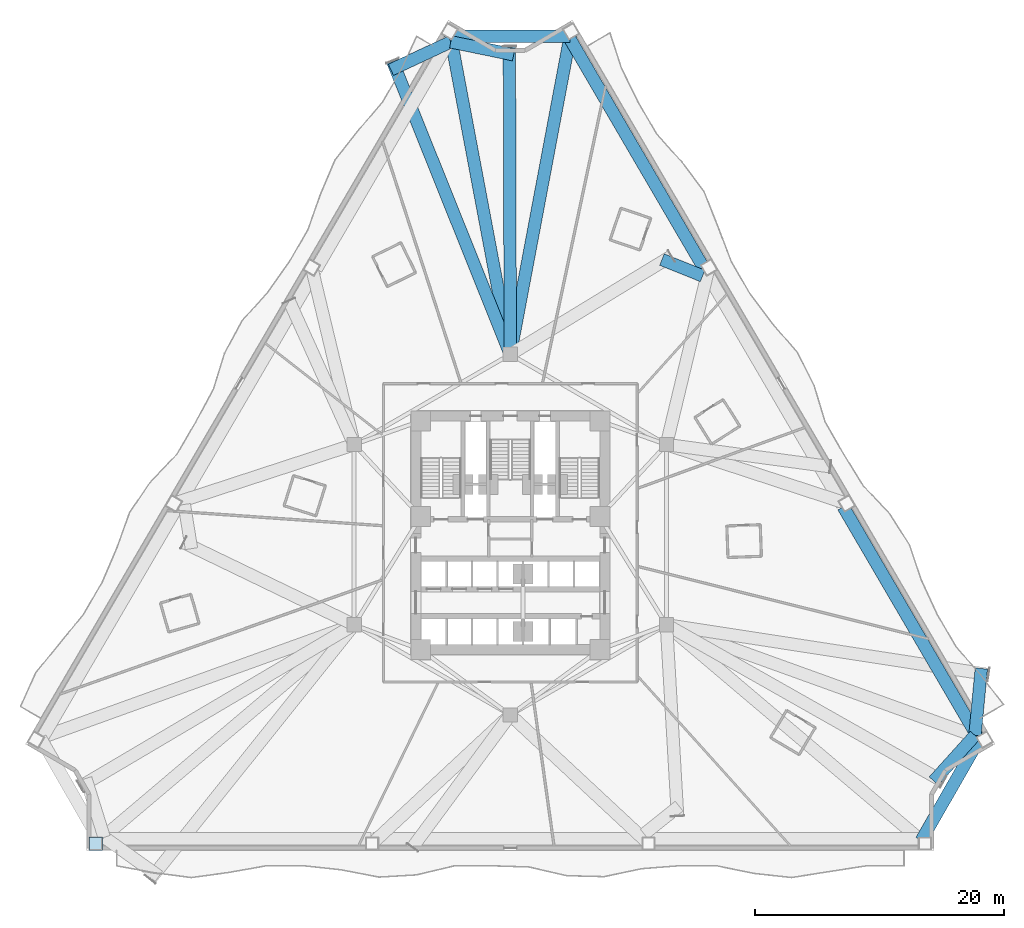
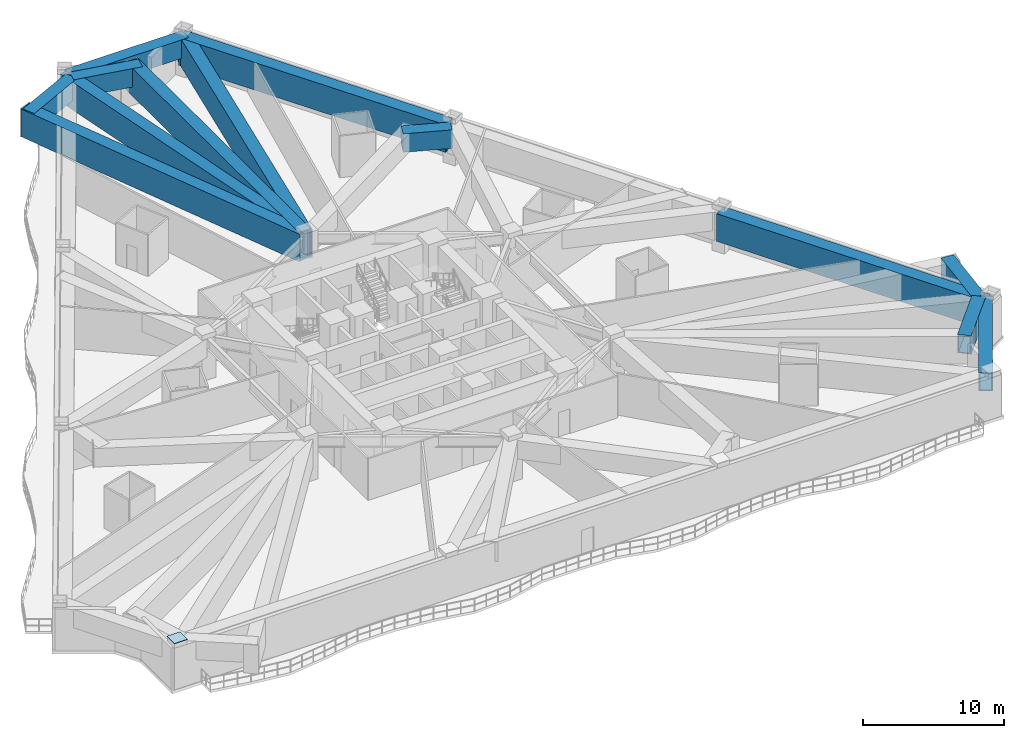
# One storey, part 2 of 16: 13 beams, 1 plate.
"""IFC4 building model written with IfcOpenShell, lengths in metres."""

from ifc_helpers import new_model, si_unit, direction, frame, origin, origin_2d, place, context, subcontext, project, spatial, rectangle, hollow_rectangle, extrude, material, layer, layer_set, material_profile, profile_set, type_object, element, save


model = new_model("IFC4")

# Units and contexts
model_context = context("Model", 3, precision=1e-05, world=origin(), true_north=direction((0.0, 1.0)))
body_context = subcontext(model_context, "Body", "Model", "MODEL_VIEW")
ifc_project = project(units=[si_unit("LENGTHUNIT", "METRE"), si_unit("AREAUNIT", "SQUARE_METRE"), si_unit("VOLUMEUNIT", "CUBIC_METRE"), si_unit("PLANEANGLEUNIT", "RADIAN"), si_unit("MASSUNIT", "GRAM", prefix="KILO")], contexts=[model_context])

# Site, building, storey
site_placement = place(None, origin())
site = spatial("IfcSite", under=ifc_project, at=site_placement, CompositionType="ELEMENT")
building_placement = place(site_placement, origin())
building = spatial("IfcBuilding", under=site, at=building_placement, Name="Apsidion Concourse Tower", CompositionType="ELEMENT")
storey_placement = place(building_placement, frame((0.0, 0.0, 58.39990234375)))
storey = spatial("IfcBuildingStorey", under=building, at=storey_placement, Name="L12", CompositionType="ELEMENT", Elevation=58.39990234375)

# Beams
ifc_material = material(Name="Structural steel ASTM A572 Grade 50", Category="steel")
ifc_material_profile_1 = material_profile(ifc_material, hollow_rectangle(XDim=1.0, YDim=1.60009765625, WallThickness=0.074951171875, at=origin_2d()), Name="BOX1600X1000X75")
ifc_profile_set_1 = profile_set([ifc_material_profile_1], Name="Structural steel ASTM A572 Grade 50")
beam_type_1 = type_object("IfcBeamType", Name="BM-TR-1600", PredefinedType="USERDEFINED", material=ifc_profile_set_1)
beam_1_placement = place(storey_placement, frame((33.060302734375, -24.59130859375, 2.800048828125), z_axis=(0.497847451586, 0.867264616452, 0.0), x_axis=(-0.867264616452, 0.497847451586, 0.0)))
element("IfcBeam", 1, at=beam_1_placement, inside=storey, type_object=beam_type_1, Name="L12 Perimeter Spandrel Girder SP-08", ObjectType="GIRDER", PredefinedType="USERDEFINED", context=body_context, shape_type="SweptSolid", body=[
    extrude(hollow_rectangle(XDim=1.0, YDim=1.60009765625, WallThickness=0.074951171875, at=origin_2d()), origin(), (0.0, 0.0, 1.0), 9.489501953125),
])
beam_2_placement = place(storey_placement, frame((4.8076171875, 40.10107421875, 2.800048828125), z_axis=(-1.0, 0.0, 0.0), x_axis=(0.0, -1.0, 0.0)))
element("IfcBeam", 2, at=beam_2_placement, inside=storey, type_object=beam_type_1, Name="L12 Perimeter Spandrel Girder SP-12", ObjectType="GIRDER", PredefinedType="USERDEFINED", context=body_context, shape_type="SweptSolid", body=[
    extrude(hollow_rectangle(XDim=1.0, YDim=1.60009765625, WallThickness=0.074951171875, at=origin_2d()), origin(), (0.0, 0.0, 1.0), 9.615234375),
])
beam_3_placement = place(storey_placement, frame((-4.78564453125, 39.63720703125, 2.800048828125), z_axis=(-0.905901345602, -0.4234887862, 0.0), x_axis=(0.4234887862, -0.905901345602, 0.0)))
element("IfcBeam", 3, at=beam_3_placement, inside=storey, type_object=beam_type_1, Name="L12 Block-Step Perimeter Transfer Bridge NBR-01", ObjectType="GIRDER", PredefinedType="USERDEFINED", context=body_context, shape_type="SweptSolid", body=[
    extrude(hollow_rectangle(XDim=1.0, YDim=1.60009765625, WallThickness=0.074951171875, at=origin_2d()), origin(), (0.0, 0.0, 1.0), 5.31591796875),
])
beam_4_placement = place(storey_placement, frame((37.373779296875, -16.14404296875, 2.800048828125), z_axis=(-0.669774643391, -0.742564426209, 0.0), x_axis=(0.742564426209, -0.669774643391, 0.0)))
element("IfcBeam", 4, at=beam_4_placement, inside=storey, type_object=beam_type_1, Name="L12 Block-Step Perimeter Transfer Bridge NBR-08", ObjectType="GIRDER", PredefinedType="USERDEFINED", context=body_context, shape_type="SweptSolid", body=[
    extrude(hollow_rectangle(XDim=1.0, YDim=1.60009765625, WallThickness=0.074951171875, at=origin_2d()), origin(), (0.0, 0.0, 1.0), 4.94384765625),
])
beam_5_placement = place(storey_placement, frame((37.373779296875, -16.14404296875, 2.800048828125), z_axis=(0.094924281008, 0.995484495547, 0.0), x_axis=(-0.995484495547, 0.094924281008, 0.0)))
element("IfcBeam", 5, at=beam_5_placement, inside=storey, type_object=beam_type_1, Name="L12 Block-Step Perimeter Transfer Bridge NBR-09", ObjectType="GIRDER", PredefinedType="USERDEFINED", context=body_context, shape_type="SweptSolid", body=[
    extrude(hollow_rectangle(XDim=1.0, YDim=1.60009765625, WallThickness=0.074951171875, at=origin_2d()), origin(), (0.0, 0.0, 1.0), 5.401123046875),
])
beam_6_placement = place(storey_placement, frame((15.46923828125, 20.8115234375, 2.800048828125), z_axis=(-0.927527499011, 0.373754917799, 0.0), x_axis=(-0.373754917799, -0.927527499011, 0.0)))
element("IfcBeam", 6, at=beam_6_placement, inside=storey, type_object=beam_type_1, Name="L12 Block-Step Perimeter Transfer Bridge NBR-11", ObjectType="GIRDER", PredefinedType="USERDEFINED", context=body_context, shape_type="SweptSolid", body=[
    extrude(hollow_rectangle(XDim=1.0, YDim=1.60009765625, WallThickness=0.074951171875, at=origin_2d()), origin(), (0.0, 0.0, 1.0), 3.5234375),
])
beam_7_placement = place(storey_placement, frame((-4.78564453125, 39.63720703125, 2.800048828125), z_axis=(0.97939381598, -0.201959781192, 0.0), x_axis=(0.201959781192, 0.97939381598, 0.0)))
element("IfcBeam", 7, at=beam_7_placement, inside=storey, type_object=beam_type_1, Name="L12 Block-Step Perimeter Transfer Bridge NBR-12", ObjectType="GIRDER", PredefinedType="USERDEFINED", context=body_context, shape_type="SweptSolid", body=[
    extrude(hollow_rectangle(XDim=1.0, YDim=1.60009765625, WallThickness=0.074951171875, at=origin_2d()), origin(), (0.0, 0.0, 1.0), 5.1630859375),
])
ifc_material_profile_2 = material_profile(ifc_material, hollow_rectangle(XDim=1.0, YDim=2.39990234375, WallThickness=0.080078125, at=origin_2d()), Name="BOX2400X1000X80")
ifc_profile_set_2 = profile_set([ifc_material_profile_2], Name="Structural steel ASTM A572 Grade 50")
beam_type_2 = type_object("IfcBeamType", Name="BM-TR-2400", PredefinedType="USERDEFINED", material=ifc_profile_set_2)
beam_8_placement = place(storey_placement, frame((37.78564453125, -16.603515625, 2.400146484375), z_axis=(-0.504314635071, 0.863519975943, 0.0), x_axis=(-0.863519975943, -0.504314635071, 0.0)))
element("IfcBeam", 8, at=beam_8_placement, inside=storey, type_object=beam_type_2, Name="L12 Perimeter Spandrel Girder SP-09", ObjectType="GIRDER", PredefinedType="USERDEFINED", context=body_context, shape_type="SweptSolid", body=[
    extrude(hollow_rectangle(XDim=1.0, YDim=2.39990234375, WallThickness=0.080078125, at=origin_2d()), origin(), (0.0, 0.0, 1.0), 21.828125),
])
beam_9_placement = place(storey_placement, frame((15.60791015625, 21.37109375, 2.400146484375), z_axis=(-0.504309764366, 0.863522820524, 0.0), x_axis=(-0.863522820524, -0.504309764366, 0.0)))
element("IfcBeam", 9, at=beam_9_placement, inside=storey, type_object=beam_type_2, Name="L12 Perimeter Spandrel Girder SP-11", ObjectType="GIRDER", PredefinedType="USERDEFINED", context=body_context, shape_type="SweptSolid", body=[
    extrude(hollow_rectangle(XDim=1.0, YDim=2.39990234375, WallThickness=0.080078125, at=origin_2d()), origin(), (0.0, 0.0, 1.0), 21.828369140625),
])
for number, where, z_axis, x_axis, name in (
    (10, (-0.040771484375, 14.71630859375, 2.400146484375), (-0.184867590038, 0.982763437534, 0.0), (-0.982763437534, -0.184867590038, 0.0), "L12 Radial Floor Girder RAD-01"),
    (11, (0.040771484375, 14.71630859375, 2.400146484375), (0.184867590038, 0.982763437534, 0.0), (-0.982763437534, 0.184867590038, 0.0), "L12 Radial Floor Girder RAD-12"),
):
    element("IfcBeam", number, at=place(storey_placement, frame(where, z_axis=z_axis, x_axis=x_axis)), inside=storey, type_object=beam_type_2, Name=name, ObjectType="GIRDER", PredefinedType="USERDEFINED", context=body_context, shape_type="SweptSolid", body=[
        extrude(hollow_rectangle(XDim=1.0, YDim=2.39990234375, WallThickness=0.080078125, at=origin_2d()), origin(), (0.0, 0.0, 1.0), 26.11669921875),
    ])
beam_10_placement = place(storey_placement, frame((-0.11181640625, 14.7783203125, 2.400146484375), z_axis=(-0.372539346687, 0.928016398115, 0.0), x_axis=(-0.928016398115, -0.372539346687, 0.0)))
element("IfcBeam", 12, at=beam_10_placement, inside=storey, type_object=beam_type_2, Name="L12 Block-Step Radial Transfer Girder NTR-01", ObjectType="GIRDER", PredefinedType="USERDEFINED", context=body_context, shape_type="SweptSolid", body=[
    extrude(hollow_rectangle(XDim=1.0, YDim=2.39990234375, WallThickness=0.080078125, at=origin_2d()), origin(), (0.0, 0.0, 1.0), 25.13232421875),
])
beam_11_placement = place(storey_placement, frame((-0.0009765625, 14.800048828125, 2.400146484375), z_axis=(-0.002953813616, 0.999995637483, 0.0), x_axis=(-0.999995637483, -0.002953813616, 0.0)))
element("IfcBeam", 13, at=beam_11_placement, inside=storey, type_object=beam_type_2, Name="L12 Block-Step Radial Transfer Girder NTR-12", ObjectType="GIRDER", PredefinedType="USERDEFINED", context=body_context, shape_type="SweptSolid", body=[
    extrude(hollow_rectangle(XDim=1.0, YDim=2.39990234375, WallThickness=0.080078125, at=origin_2d()), origin(), (0.0, 0.0, 1.0), 24.465087890625),
])

# Plate
ifc_layer = layer(ifc_material, 0.034912109375)
ifc_layer_set = layer_set([ifc_layer], Name="Structural steel ASTM A572 Grade 50")
plate_type = type_object("IfcPlateType", Name="PL-ENDCAP-35", PredefinedType="USERDEFINED", material=ifc_layer_set)
plate_placement = place(storey_placement, frame((-33.35009765625, -24.85009765625, 3.998046875), z_axis=(0.0, 0.0, 1.0), x_axis=(1.0, 0.0, 0.0)))
element("IfcPlate", 14, at=plate_placement, inside=storey, type_object=plate_type, Name="L12 Step-Top Column End-Cap Plate PCCAP-PC05", ObjectType="FLANGE_PLATE", PredefinedType="USERDEFINED", context=body_context, shape_type="SweptSolid", body=[
    extrude(rectangle(XDim=1.080078125, YDim=1.080078125, at=origin_2d()), origin(), (0.0, 0.0, 1.0), 0.0400390625),
])

save(model, "model.ifc")
